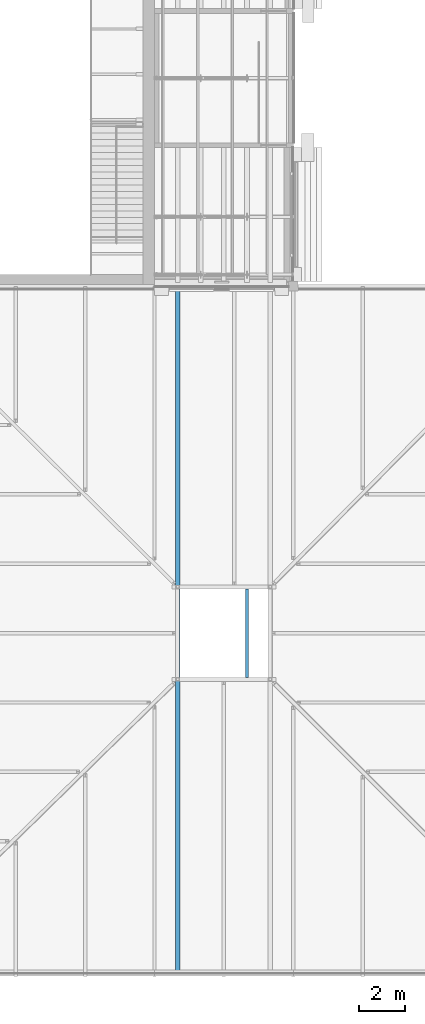
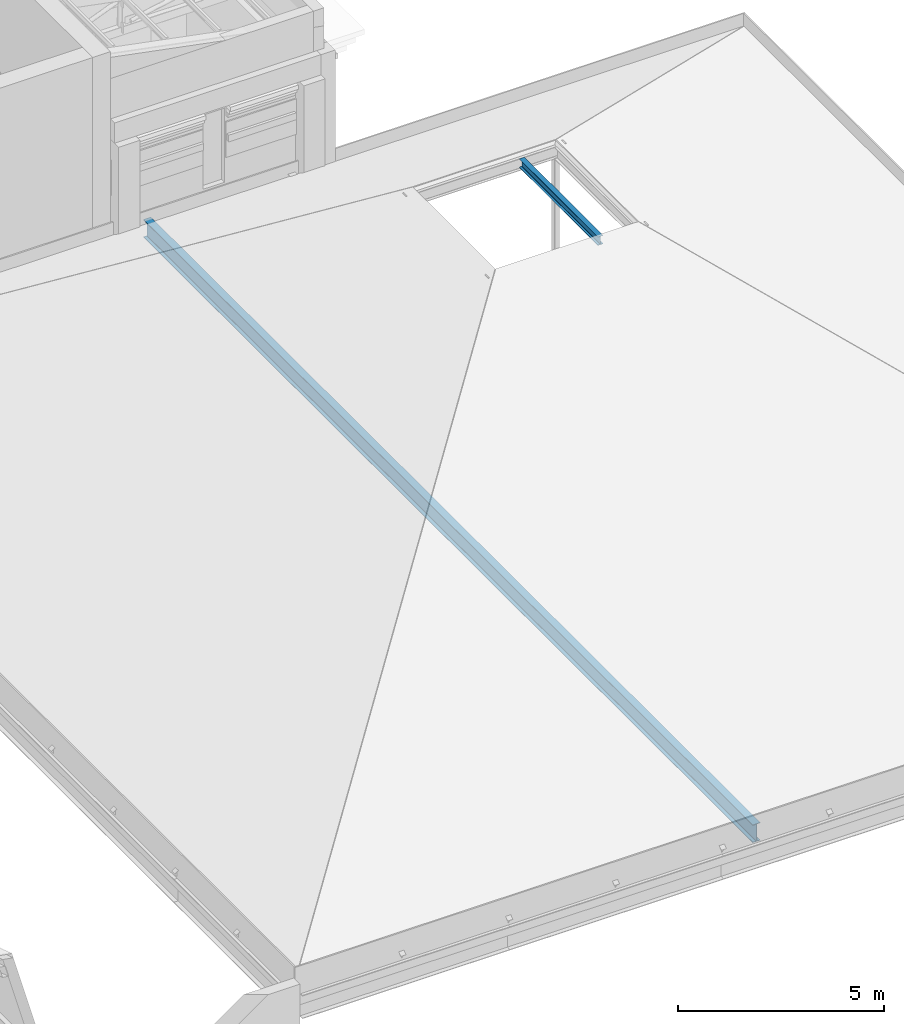
# One storey, part 18 of 118: 2 beams.
"""IFC4 building model written with IfcOpenShell, lengths in metres."""

from ifc_helpers import new_model, si_unit, direction, frame, origin, origin_2d, place, context, subcontext, project, spatial, i_section, extrude, material, material_profile, profile_set, type_object, element, save


model = new_model("IFC4")

# Units and contexts
model_context = context("Model", 3, precision=1e-05, world=origin(), true_north=direction((0.0, 1.0)))
body_context = subcontext(model_context, "Body", "Model", "MODEL_VIEW")
ifc_project = project(units=[si_unit("LENGTHUNIT", "METRE"), si_unit("AREAUNIT", "SQUARE_METRE"), si_unit("VOLUMEUNIT", "CUBIC_METRE"), si_unit("PLANEANGLEUNIT", "RADIAN"), si_unit("MASSUNIT", "GRAM", prefix="KILO")], contexts=[model_context])

# Site, building, storey
site_placement = place(None, origin())
site = spatial("IfcSite", under=ifc_project, at=site_placement, CompositionType="ELEMENT")
building_placement = place(site_placement, origin())
building = spatial("IfcBuilding", under=site, at=building_placement, Name="Saffron Lane Theatres", CompositionType="ELEMENT")
storey_placement = place(building_placement, frame((0.0, 0.0, 16.5)))
storey = spatial("IfcBuildingStorey", under=building, at=storey_placement, Name="L03", CompositionType="ELEMENT", Elevation=16.5)

# Beams
ifc_material_1 = material(Name="Steel Grade 350", Category="steel")
ifc_material_profile_1 = material_profile(ifc_material_1, i_section(OverallWidth=0.208984375, OverallDepth=0.532958984375, WebThickness=0.01025390625, FlangeThickness=0.015625, FilletRadius=0.013916015625, at=origin_2d()))
ifc_profile_set_1 = profile_set([ifc_material_profile_1], Name="Steel Grade 350")
beam_type_1 = type_object("IfcBeamType", Name="ST-CROWN GIRDER 530UB92.4", PredefinedType="BEAM", material=ifc_profile_set_1)
beam_1_placement = place(storey_placement, frame((49.0, 0.300048828125, 0.966552734375), z_axis=(0.0, 1.0, 0.0), x_axis=(-1.0, 0.0, 0.0)))
element("IfcBeam", 1, at=beam_1_placement, inside=storey, type_object=beam_type_1, Name="SG1", PredefinedType="BEAM", context=body_context, shape_type="SweptSolid", body=[
    extrude(i_section(OverallWidth=0.208984375, OverallDepth=0.532958984375, WebThickness=0.01025390625, FlangeThickness=0.015625, FilletRadius=0.013916015625, at=origin_2d()), origin(), (0.0, 0.0, 1.0), 29.64990234375),
])
ifc_material_2 = material(Name="Steel Grade 350", Category="steel")
ifc_material_profile_2 = material_profile(ifc_material_2, i_section(OverallWidth=0.14599609375, OverallDepth=0.251953125, WebThickness=0.006103515625, FlangeThickness=0.008544921875, FilletRadius=0.011962890625, at=origin_2d()))
ifc_profile_set_2 = profile_set([ifc_material_profile_2], Name="Steel Grade 350")
beam_type_2 = type_object("IfcBeamType", Name="ST-ROOF JOIST 250UB31.4", PredefinedType="JOIST", material=ifc_profile_set_2)
beam_2_placement = place(storey_placement, frame((52.0, 13.0859375, 9.7490234375), z_axis=(0.0, 1.0, 0.0), x_axis=(-1.0, 0.0, 0.0)))
element("IfcBeam", 2, at=beam_2_placement, inside=storey, type_object=beam_type_2, Name="SJ1", PredefinedType="JOIST", context=body_context, shape_type="SweptSolid", body=[
    extrude(i_section(OverallWidth=0.14599609375, OverallDepth=0.251953125, WebThickness=0.006103515625, FlangeThickness=0.008544921875, FilletRadius=0.011962890625, at=origin_2d()), origin(), (0.0, 0.0, 1.0), 3.828125),
])

save(model, "model.ifc")
